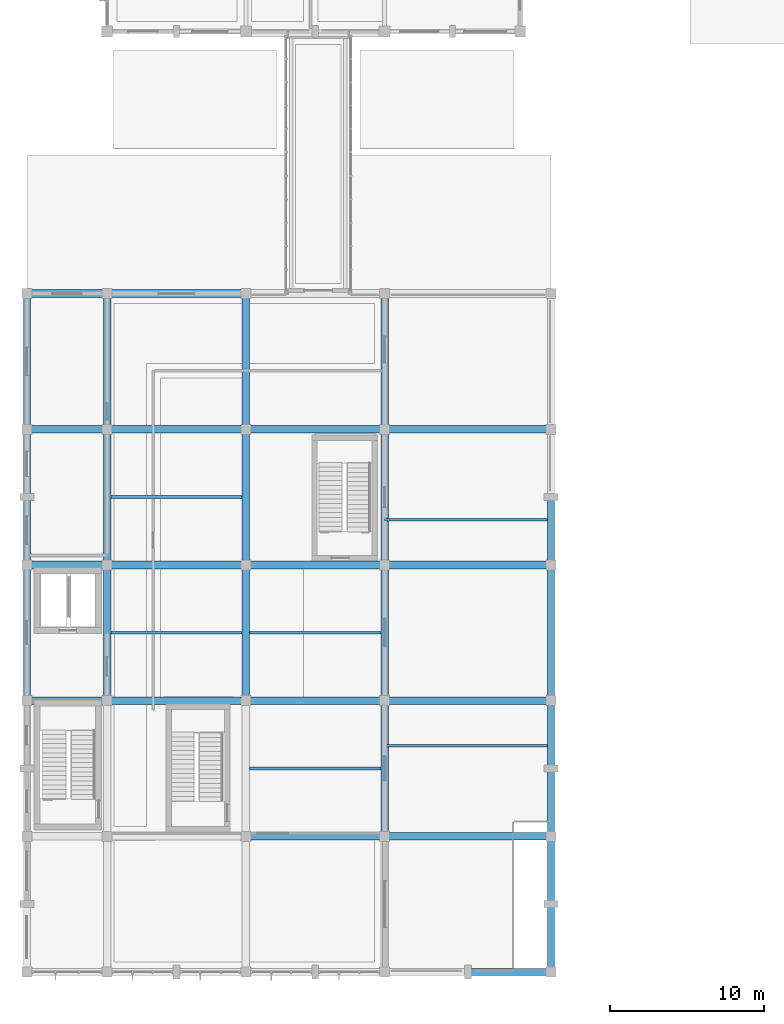
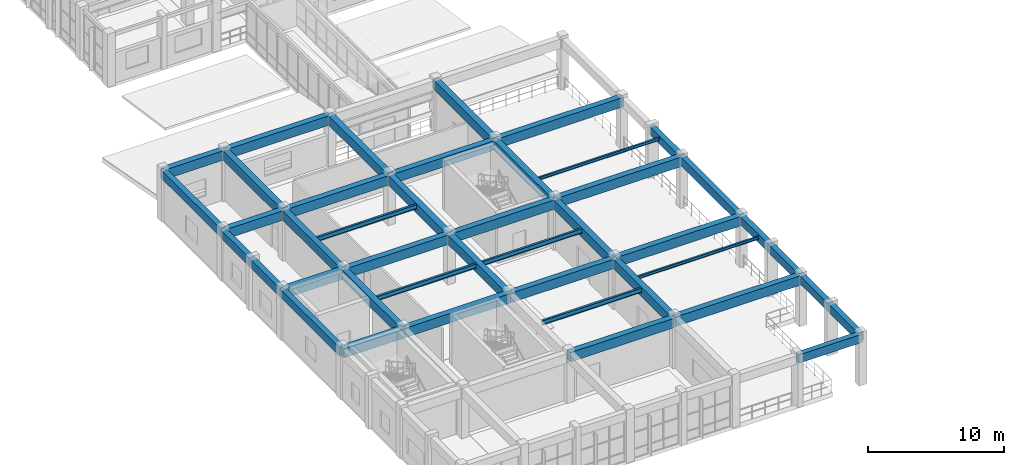
# One storey, part 12 of 104: 41 beams, 2 members.
"""IFC4 building model written with IfcOpenShell, lengths in metres."""

from ifc_helpers import new_model, si_unit, direction, frame, origin, origin_2d, place, context, subcontext, project, spatial, rectangle, i_section, extrude, material, material_profile, profile_set, type_object, element, save


model = new_model("IFC4")

# Units and contexts
model_context = context("Model", 3, precision=1e-05, world=origin(), true_north=direction((0.0, 1.0)))
body_context = subcontext(model_context, "Body", "Model", "MODEL_VIEW")
ifc_project = project(units=[si_unit("LENGTHUNIT", "METRE"), si_unit("AREAUNIT", "SQUARE_METRE"), si_unit("VOLUMEUNIT", "CUBIC_METRE"), si_unit("PLANEANGLEUNIT", "RADIAN"), si_unit("MASSUNIT", "GRAM", prefix="KILO")], contexts=[model_context])

# Site, building, storey
site_placement = place(None, origin())
site = spatial("IfcSite", under=ifc_project, at=site_placement, CompositionType="ELEMENT")
building_placement = place(site_placement, origin())
building = spatial("IfcBuilding", under=site, at=building_placement, Name="Ventoquebrada Cableway Terminal", CompositionType="ELEMENT")
storey_placement = place(building_placement, frame((0.0, 0.0, 4.800048828125)))
storey = spatial("IfcBuildingStorey", under=building, at=storey_placement, Name="L01", CompositionType="ELEMENT", Elevation=4.800048828125)

# Beams
ifc_material_1 = material(Name="Concrete C40/50", Category="concrete")
ifc_material_profile_1 = material_profile(ifc_material_1, rectangle(XDim=0.5, YDim=0.85009765625, at=origin_2d()), Name="RC-BM-500X850")
ifc_profile_set_1 = profile_set([ifc_material_profile_1], Name="Concrete C40/50")
beam_type_1 = type_object("IfcBeamType", Name="BM-RC04", PredefinedType="BEAM", material=ifc_profile_set_1)
beam_1_placement = place(storey_placement, frame((17.199951171875, 11.800048828125, 4.0400390625), z_axis=(1.0, 0.0, 0.0), x_axis=(0.0, 1.0, 0.0)))
element("IfcBeam", 1, at=beam_1_placement, inside=storey, type_object=beam_type_1, Name="Primary frame girder FBM-0154", PredefinedType="BEAM", context=body_context, shape_type="SweptSolid", body=[
    extrude(rectangle(XDim=0.5, YDim=0.85009765625, at=origin_2d()), origin(), (0.0, 0.0, 1.0), 9.0),
])
beam_2_placement = place(storey_placement, frame((26.199951171875, 11.800048828125, 4.10498046875), z_axis=(1.0, 0.0, 0.0), x_axis=(0.0, 1.0, 0.0)))
element("IfcBeam", 2, at=beam_2_placement, inside=storey, type_object=beam_type_1, Name="Primary frame girder FBM-0155", PredefinedType="BEAM", context=body_context, shape_type="SweptSolid", body=[
    extrude(rectangle(XDim=0.5, YDim=0.85009765625, at=origin_2d()), origin(), (0.0, 0.0, 1.0), 10.800048828125),
])
beam_3_placement = place(storey_placement, frame((3.0, 20.60009765625, 4.0400390625), z_axis=(1.0, 0.0, 0.0), x_axis=(0.0, 1.0, 0.0)))
element("IfcBeam", 3, at=beam_3_placement, inside=storey, type_object=beam_type_1, Name="Primary frame girder FBM-0156", PredefinedType="BEAM", context=body_context, shape_type="SweptSolid", body=[
    extrude(rectangle(XDim=0.5, YDim=0.85009765625, at=origin_2d()), origin(), (0.0, 0.0, 1.0), 5.199951171875),
])
for number, where, z_axis, x_axis, name in (
    (4, (8.199951171875, 20.60009765625, 4.0400390625), (1.0, 0.0, 0.0), (0.0, 1.0, 0.0), "Primary frame girder FBM-0157"),
    (5, (17.199951171875, 20.60009765625, 4.0400390625), (1.0, 0.0, 0.0), (0.0, 1.0, 0.0), "Primary frame girder FBM-0158"),
):
    element("IfcBeam", number, at=place(storey_placement, frame(where, z_axis=z_axis, x_axis=x_axis)), inside=storey, type_object=beam_type_1, Name=name, PredefinedType="BEAM", context=body_context, shape_type="SweptSolid", body=[
        extrude(rectangle(XDim=0.5, YDim=0.85009765625, at=origin_2d()), origin(), (0.0, 0.0, 1.0), 9.0),
    ])
beam_4_placement = place(storey_placement, frame((26.199951171875, 20.60009765625, 4.10498046875), z_axis=(1.0, 0.0, 0.0), x_axis=(0.0, 1.0, 0.0)))
element("IfcBeam", 6, at=beam_4_placement, inside=storey, type_object=beam_type_1, Name="Primary frame girder FBM-0159", PredefinedType="BEAM", context=body_context, shape_type="SweptSolid", body=[
    extrude(rectangle(XDim=0.5, YDim=0.85009765625, at=origin_2d()), origin(), (0.0, 0.0, 1.0), 10.800048828125),
])
beam_5_placement = place(storey_placement, frame((3.0, 29.39990234375, 4.0400390625), z_axis=(1.0, 0.0, 0.0), x_axis=(0.0, 1.0, 0.0)))
element("IfcBeam", 7, at=beam_5_placement, inside=storey, type_object=beam_type_1, Name="Primary frame girder FBM-0160", PredefinedType="BEAM", context=body_context, shape_type="SweptSolid", body=[
    extrude(rectangle(XDim=0.5, YDim=0.85009765625, at=origin_2d()), origin(), (0.0, 0.0, 1.0), 5.199951171875),
])
for number, where, z_axis, x_axis, name in (
    (8, (8.199951171875, 29.39990234375, 4.0400390625), (1.0, 0.0, 0.0), (0.0, 1.0, 0.0), "Primary frame girder FBM-0161"),
    (9, (17.199951171875, 29.39990234375, 4.0400390625), (1.0, 0.0, 0.0), (0.0, 1.0, 0.0), "Primary frame girder FBM-0162"),
):
    element("IfcBeam", number, at=place(storey_placement, frame(where, z_axis=z_axis, x_axis=x_axis)), inside=storey, type_object=beam_type_1, Name=name, PredefinedType="BEAM", context=body_context, shape_type="SweptSolid", body=[
        extrude(rectangle(XDim=0.5, YDim=0.85009765625, at=origin_2d()), origin(), (0.0, 0.0, 1.0), 9.0),
    ])
beam_6_placement = place(storey_placement, frame((26.199951171875, 29.39990234375, 4.10498046875), z_axis=(1.0, 0.0, 0.0), x_axis=(0.0, 1.0, 0.0)))
element("IfcBeam", 10, at=beam_6_placement, inside=storey, type_object=beam_type_1, Name="Primary frame girder FBM-0163", PredefinedType="BEAM", context=body_context, shape_type="SweptSolid", body=[
    extrude(rectangle(XDim=0.5, YDim=0.85009765625, at=origin_2d()), origin(), (0.0, 0.0, 1.0), 10.800048828125),
])
beam_7_placement = place(storey_placement, frame((3.0, 38.199951171875, 4.0400390625), z_axis=(1.0, 0.0, 0.0), x_axis=(0.0, 1.0, 0.0)))
element("IfcBeam", 11, at=beam_7_placement, inside=storey, type_object=beam_type_1, Name="Primary frame girder FBM-0164", PredefinedType="BEAM", context=body_context, shape_type="SweptSolid", body=[
    extrude(rectangle(XDim=0.5, YDim=0.85009765625, at=origin_2d()), origin(), (0.0, 0.0, 1.0), 5.199951171875),
])
for number, where, z_axis, x_axis, name in (
    (12, (8.199951171875, 38.199951171875, 4.0400390625), (1.0, 0.0, 0.0), (0.0, 1.0, 0.0), "Primary frame girder FBM-0165"),
    (13, (17.199951171875, 38.199951171875, 4.0400390625), (1.0, 0.0, 0.0), (0.0, 1.0, 0.0), "Primary frame girder FBM-0166"),
):
    element("IfcBeam", number, at=place(storey_placement, frame(where, z_axis=z_axis, x_axis=x_axis)), inside=storey, type_object=beam_type_1, Name=name, PredefinedType="BEAM", context=body_context, shape_type="SweptSolid", body=[
        extrude(rectangle(XDim=0.5, YDim=0.85009765625, at=origin_2d()), origin(), (0.0, 0.0, 1.0), 9.0),
    ])
beam_8_placement = place(storey_placement, frame((26.199951171875, 38.199951171875, 4.10498046875), z_axis=(1.0, 0.0, 0.0), x_axis=(0.0, 1.0, 0.0)))
element("IfcBeam", 14, at=beam_8_placement, inside=storey, type_object=beam_type_1, Name="Primary frame girder FBM-0167", PredefinedType="BEAM", context=body_context, shape_type="SweptSolid", body=[
    extrude(rectangle(XDim=0.5, YDim=0.85009765625, at=origin_2d()), origin(), (0.0, 0.0, 1.0), 10.800048828125),
])
beam_9_placement = place(storey_placement, frame((3.0, 47.0, 4.10498046875), z_axis=(1.0, 0.0, 0.0), x_axis=(0.0, 1.0, 0.0)))
element("IfcBeam", 15, at=beam_9_placement, inside=storey, type_object=beam_type_1, Name="Primary frame girder FBM-0168", PredefinedType="BEAM", context=body_context, shape_type="SweptSolid", body=[
    extrude(rectangle(XDim=0.5, YDim=0.85009765625, at=origin_2d()), origin(), (0.0, 0.0, 1.0), 5.199951171875),
])
beam_10_placement = place(storey_placement, frame((8.199951171875, 47.0, 4.10498046875), z_axis=(1.0, 0.0, 0.0), x_axis=(0.0, 1.0, 0.0)))
element("IfcBeam", 16, at=beam_10_placement, inside=storey, type_object=beam_type_1, Name="Primary frame girder FBM-0169", PredefinedType="BEAM", context=body_context, shape_type="SweptSolid", body=[
    extrude(rectangle(XDim=0.5, YDim=0.85009765625, at=origin_2d()), origin(), (0.0, 0.0, 1.0), 9.0),
])
beam_11_placement = place(storey_placement, frame((8.199951171875, 20.60009765625, 4.0400390625), z_axis=(0.0, 1.0, 0.0), x_axis=(-1.0, 0.0, 0.0)))
element("IfcBeam", 17, at=beam_11_placement, inside=storey, type_object=beam_type_1, Name="Primary frame girder FBM-0182", PredefinedType="BEAM", context=body_context, shape_type="SweptSolid", body=[
    extrude(rectangle(XDim=0.5, YDim=0.85009765625, at=origin_2d()), origin(), (0.0, 0.0, 1.0), 8.7998046875),
])
for number, where, z_axis, x_axis, name in (
    (18, (8.199951171875, 29.39990234375, 4.0400390625), (0.0, 1.0, 0.0), (-1.0, 0.0, 0.0), "Primary frame girder FBM-0183"),
    (19, (8.199951171875, 38.199951171875, 4.10498046875), (0.0, 1.0, 0.0), (-1.0, 0.0, 0.0), "Primary frame girder FBM-0184"),
):
    element("IfcBeam", number, at=place(storey_placement, frame(where, z_axis=z_axis, x_axis=x_axis)), inside=storey, type_object=beam_type_1, Name=name, PredefinedType="BEAM", context=body_context, shape_type="SweptSolid", body=[
        extrude(rectangle(XDim=0.5, YDim=0.85009765625, at=origin_2d()), origin(), (0.0, 0.0, 1.0), 8.800048828125),
    ])
beam_12_placement = place(storey_placement, frame((17.199951171875, 20.60009765625, 4.0400390625), z_axis=(0.0, 1.0, 0.0), x_axis=(-1.0, 0.0, 0.0)))
element("IfcBeam", 20, at=beam_12_placement, inside=storey, type_object=beam_type_1, Name="Primary frame girder FBM-0187", PredefinedType="BEAM", context=body_context, shape_type="SweptSolid", body=[
    extrude(rectangle(XDim=0.5, YDim=0.85009765625, at=origin_2d()), origin(), (0.0, 0.0, 1.0), 8.7998046875),
])
for number, where, z_axis, x_axis, name in (
    (21, (17.199951171875, 29.39990234375, 4.0400390625), (0.0, 1.0, 0.0), (-1.0, 0.0, 0.0), "Primary frame girder FBM-0188"),
    (22, (17.199951171875, 38.199951171875, 4.10498046875), (0.0, 1.0, 0.0), (-1.0, 0.0, 0.0), "Primary frame girder FBM-0189"),
    (23, (26.199951171875, 11.800048828125, 4.0400390625), (0.0, 1.0, 0.0), (-1.0, 0.0, 0.0), "Primary frame girder FBM-0191"),
):
    element("IfcBeam", number, at=place(storey_placement, frame(where, z_axis=z_axis, x_axis=x_axis)), inside=storey, type_object=beam_type_1, Name=name, PredefinedType="BEAM", context=body_context, shape_type="SweptSolid", body=[
        extrude(rectangle(XDim=0.5, YDim=0.85009765625, at=origin_2d()), origin(), (0.0, 0.0, 1.0), 8.800048828125),
    ])
beam_13_placement = place(storey_placement, frame((26.199951171875, 20.60009765625, 4.0400390625), z_axis=(0.0, 1.0, 0.0), x_axis=(-1.0, 0.0, 0.0)))
element("IfcBeam", 24, at=beam_13_placement, inside=storey, type_object=beam_type_1, Name="Primary frame girder FBM-0192", PredefinedType="BEAM", context=body_context, shape_type="SweptSolid", body=[
    extrude(rectangle(XDim=0.5, YDim=0.85009765625, at=origin_2d()), origin(), (0.0, 0.0, 1.0), 8.7998046875),
])
for number, where, z_axis, x_axis, name in (
    (25, (26.199951171875, 29.39990234375, 4.0400390625), (0.0, 1.0, 0.0), (-1.0, 0.0, 0.0), "Primary frame girder FBM-0193"),
    (26, (26.199951171875, 38.199951171875, 4.10498046875), (0.0, 1.0, 0.0), (-1.0, 0.0, 0.0), "Primary frame girder FBM-0194"),
):
    element("IfcBeam", number, at=place(storey_placement, frame(where, z_axis=z_axis, x_axis=x_axis)), inside=storey, type_object=beam_type_1, Name=name, PredefinedType="BEAM", context=body_context, shape_type="SweptSolid", body=[
        extrude(rectangle(XDim=0.5, YDim=0.85009765625, at=origin_2d()), origin(), (0.0, 0.0, 1.0), 8.800048828125),
    ])
ifc_material_2 = material(Name="Steel ASTM A992 Grade 50", Category="steel")
ifc_material_profile_2 = material_profile(ifc_material_2, i_section(OverallWidth=0.177978515625, OverallDepth=0.406005859375, WebThickness=0.0078125, FlangeThickness=0.0126953125, at=origin_2d()), Name="W16X40")
ifc_profile_set_2 = profile_set([ifc_material_profile_2], Name="Steel ASTM A992 Grade 50")
beam_type_2 = type_object("IfcBeamType", Name="JST-ST06", PredefinedType="JOIST", material=ifc_profile_set_2)
for number, where, z_axis, x_axis, name in (
    (27, (8.449951171875, 25.0, 4.261962890625), (1.0, 0.0, 0.0), (0.0, 1.0, 0.0), "Secondary floor joist JB-001"),
    (28, (8.449951171875, 33.800048828125, 4.261962890625), (1.0, 0.0, 0.0), (0.0, 1.0, 0.0), "Secondary floor joist JB-002"),
    (29, (17.449951171875, 16.199951171875, 4.261962890625), (1.0, 0.0, 0.0), (0.0, 1.0, 0.0), "Secondary floor joist JB-003"),
    (30, (17.449951171875, 25.0, 4.261962890625), (1.0, 0.0, 0.0), (0.0, 1.0, 0.0), "Secondary floor joist JB-004"),
):
    element("IfcBeam", number, at=place(storey_placement, frame(where, z_axis=z_axis, x_axis=x_axis)), inside=storey, type_object=beam_type_2, Name=name, PredefinedType="JOIST", context=body_context, shape_type="SweptSolid", body=[
        extrude(i_section(OverallWidth=0.177978515625, OverallDepth=0.406005859375, WebThickness=0.0078125, FlangeThickness=0.0126953125, at=origin_2d()), origin(), (0.0, 0.0, 1.0), 8.5),
    ])

# Members
ifc_material_profile_3 = material_profile(ifc_material_2, i_section(OverallWidth=0.14599609375, OverallDepth=0.259033203125, WebThickness=0.006103515625, FlangeThickness=0.009033203125, at=origin_2d()), Name="W10X22")
ifc_profile_set_3 = profile_set([ifc_material_profile_3], Name="Steel ASTM A992 Grade 50")
member_type = type_object("IfcMemberType", Name="PUR-RF04", PredefinedType="PURLIN", material=ifc_profile_set_3)
for number, where, z_axis, x_axis, name in (
    (31, (26.199951171875, 17.6669921875, 4.284912109375), (1.0, 0.0, 0.0), (0.0, 1.0, 0.0), "Roof support purlin RPR-0473"),
    (32, (26.199951171875, 32.3330078125, 4.284912109375), (1.0, 0.0, 0.0), (0.0, 1.0, 0.0), "Roof support purlin RPR-0474"),
):
    element("IfcMember", number, at=place(storey_placement, frame(where, z_axis=z_axis, x_axis=x_axis)), inside=storey, type_object=member_type, Name=name, PredefinedType="PURLIN", context=body_context, shape_type="SweptSolid", body=[
        extrude(i_section(OverallWidth=0.14599609375, OverallDepth=0.259033203125, WebThickness=0.006103515625, FlangeThickness=0.009033203125, at=origin_2d()), origin(), (0.0, 0.0, 1.0), 10.800048828125),
    ])

# Beams
ifc_material_profile_4 = material_profile(ifc_material_1, rectangle(XDim=0.449951171875, YDim=0.75, at=origin_2d()), Name="RC-BM-450X750")
ifc_profile_set_4 = profile_set([ifc_material_profile_4], Name="Concrete C40/50")
beam_type_3 = type_object("IfcBeamType", Name="SP-RC02", PredefinedType="SPANDREL", material=ifc_profile_set_4)
beam_14_placement = place(storey_placement, frame((31.60009765625, 3.0, 4.155029296875), z_axis=(1.0, 0.0, 0.0), x_axis=(0.0, 1.0, 0.0)))
element("IfcBeam", 33, at=beam_14_placement, inside=storey, type_object=beam_type_3, Name="Perimeter spandrel beam FBM-0151", PredefinedType="SPANDREL", context=body_context, shape_type="SweptSolid", body=[
    extrude(rectangle(XDim=0.449951171875, YDim=0.75, at=origin_2d()), origin(), (0.0, 0.0, 1.0), 5.39990234375),
])
beam_15_placement = place(storey_placement, frame((3.0, 20.60009765625, 4.08984375), z_axis=(0.0, 1.0, 0.0), x_axis=(-1.0, 0.0, 0.0)))
element("IfcBeam", 34, at=beam_15_placement, inside=storey, type_object=beam_type_3, Name="Perimeter spandrel beam FBM-0176", PredefinedType="SPANDREL", context=body_context, shape_type="SweptSolid", body=[
    extrude(rectangle(XDim=0.449951171875, YDim=0.75, at=origin_2d()), origin(), (0.0, 0.0, 1.0), 8.7998046875),
])
beam_16_placement = place(storey_placement, frame((3.0, 29.39990234375, 4.08984375), z_axis=(0.0, 1.0, 0.0), x_axis=(-1.0, 0.0, 0.0)))
element("IfcBeam", 35, at=beam_16_placement, inside=storey, type_object=beam_type_3, Name="Perimeter spandrel beam FBM-0177", PredefinedType="SPANDREL", context=body_context, shape_type="SweptSolid", body=[
    extrude(rectangle(XDim=0.449951171875, YDim=0.75, at=origin_2d()), origin(), (0.0, 0.0, 1.0), 4.400146484375),
])
beam_17_placement = place(storey_placement, frame((3.0, 33.800048828125, 4.08984375), z_axis=(0.0, 1.0, 0.0), x_axis=(-1.0, 0.0, 0.0)))
element("IfcBeam", 36, at=beam_17_placement, inside=storey, type_object=beam_type_3, Name="Perimeter spandrel beam FBM-0178", PredefinedType="SPANDREL", context=body_context, shape_type="SweptSolid", body=[
    extrude(rectangle(XDim=0.449951171875, YDim=0.75, at=origin_2d()), origin(), (0.0, 0.0, 1.0), 4.39990234375),
])
beam_18_placement = place(storey_placement, frame((3.0, 38.199951171875, 4.155029296875), z_axis=(0.0, 1.0, 0.0), x_axis=(-1.0, 0.0, 0.0)))
element("IfcBeam", 37, at=beam_18_placement, inside=storey, type_object=beam_type_3, Name="Perimeter spandrel beam FBM-0179", PredefinedType="SPANDREL", context=body_context, shape_type="SweptSolid", body=[
    extrude(rectangle(XDim=0.449951171875, YDim=0.75, at=origin_2d()), origin(), (0.0, 0.0, 1.0), 8.800048828125),
])
beam_19_placement = place(storey_placement, frame((37.0, 3.0, 4.155029296875), z_axis=(0.0, 1.0, 0.0), x_axis=(-1.0, 0.0, 0.0)))
element("IfcBeam", 38, at=beam_19_placement, inside=storey, type_object=beam_type_3, Name="Perimeter spandrel beam FBM-0195", PredefinedType="SPANDREL", context=body_context, shape_type="SweptSolid", body=[
    extrude(rectangle(XDim=0.449951171875, YDim=0.75, at=origin_2d()), origin(), (0.0, 0.0, 1.0), 4.39990234375),
])
beam_20_placement = place(storey_placement, frame((37.0, 7.39990234375, 4.155029296875), z_axis=(0.0, 1.0, 0.0), x_axis=(-1.0, 0.0, 0.0)))
element("IfcBeam", 39, at=beam_20_placement, inside=storey, type_object=beam_type_3, Name="Perimeter spandrel beam FBM-0196", PredefinedType="SPANDREL", context=body_context, shape_type="SweptSolid", body=[
    extrude(rectangle(XDim=0.449951171875, YDim=0.75, at=origin_2d()), origin(), (0.0, 0.0, 1.0), 4.400146484375),
])
beam_21_placement = place(storey_placement, frame((37.0, 11.800048828125, 4.155029296875), z_axis=(0.0, 1.0, 0.0), x_axis=(-1.0, 0.0, 0.0)))
element("IfcBeam", 40, at=beam_21_placement, inside=storey, type_object=beam_type_3, Name="Perimeter spandrel beam FBM-0197", PredefinedType="SPANDREL", context=body_context, shape_type="SweptSolid", body=[
    extrude(rectangle(XDim=0.449951171875, YDim=0.75, at=origin_2d()), origin(), (0.0, 0.0, 1.0), 4.39990234375),
])
beam_22_placement = place(storey_placement, frame((37.0, 16.199951171875, 4.155029296875), z_axis=(0.0, 1.0, 0.0), x_axis=(-1.0, 0.0, 0.0)))
element("IfcBeam", 41, at=beam_22_placement, inside=storey, type_object=beam_type_3, Name="Perimeter spandrel beam FBM-0198", PredefinedType="SPANDREL", context=body_context, shape_type="SweptSolid", body=[
    extrude(rectangle(XDim=0.449951171875, YDim=0.75, at=origin_2d()), origin(), (0.0, 0.0, 1.0), 4.400146484375),
])
beam_23_placement = place(storey_placement, frame((37.0, 20.60009765625, 4.155029296875), z_axis=(0.0, 1.0, 0.0), x_axis=(-1.0, 0.0, 0.0)))
element("IfcBeam", 42, at=beam_23_placement, inside=storey, type_object=beam_type_3, Name="Perimeter spandrel beam FBM-0199", PredefinedType="SPANDREL", context=body_context, shape_type="SweptSolid", body=[
    extrude(rectangle(XDim=0.449951171875, YDim=0.75, at=origin_2d()), origin(), (0.0, 0.0, 1.0), 8.7998046875),
])
beam_24_placement = place(storey_placement, frame((37.0, 29.39990234375, 4.155029296875), z_axis=(0.0, 1.0, 0.0), x_axis=(-1.0, 0.0, 0.0)))
element("IfcBeam", 43, at=beam_24_placement, inside=storey, type_object=beam_type_3, Name="Perimeter spandrel beam FBM-0200", PredefinedType="SPANDREL", context=body_context, shape_type="SweptSolid", body=[
    extrude(rectangle(XDim=0.449951171875, YDim=0.75, at=origin_2d()), origin(), (0.0, 0.0, 1.0), 4.400146484375),
])

save(model, "model.ifc")
